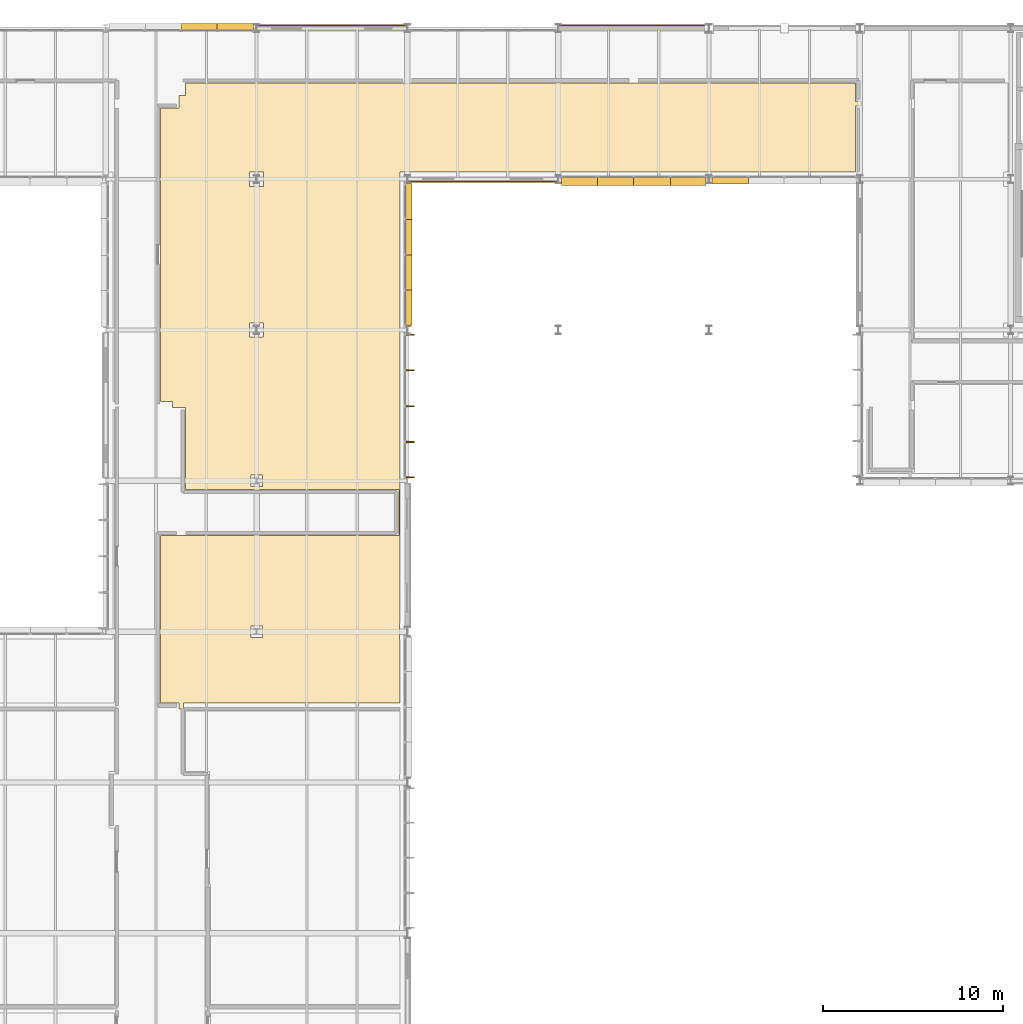
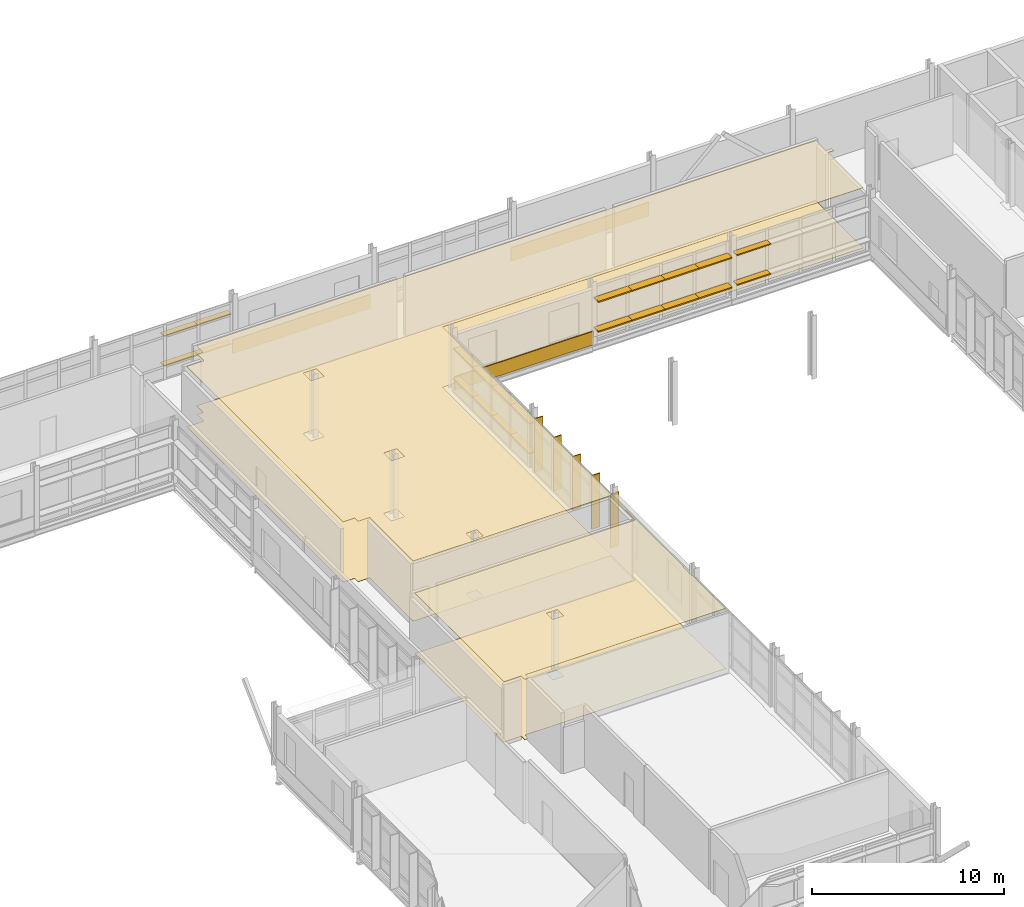
# One storey, part 98 of 103: 27 shading devices, 5 coverings.
"""IFC4 building model written with IfcOpenShell, lengths in metres."""

from ifc_helpers import new_model, si_unit, direction, frame, origin, origin_2d, place, context, subcontext, project, spatial, polyline, rectangle, outline, extrude, material, layer, layer_set, type_object, element, save


model = new_model("IFC4")

# Units and contexts
model_context = context("Model", 3, precision=1e-05, world=origin(), true_north=direction((0.0, 1.0)))
body_context = subcontext(model_context, "Body", "Model", "MODEL_VIEW")
ifc_project = project(units=[si_unit("LENGTHUNIT", "METRE"), si_unit("AREAUNIT", "SQUARE_METRE"), si_unit("VOLUMEUNIT", "CUBIC_METRE"), si_unit("PLANEANGLEUNIT", "RADIAN"), si_unit("MASSUNIT", "GRAM", prefix="KILO")], contexts=[model_context])

# Site, building, storey
site_placement = place(None, origin())
site = spatial("IfcSite", under=ifc_project, at=site_placement, CompositionType="ELEMENT")
building_placement = place(site_placement, origin())
building = spatial("IfcBuilding", under=site, at=building_placement, Name="Mersafa Astral City Hall", CompositionType="ELEMENT")
storey_placement = place(building_placement, frame((0.0, 0.0, 18.0)))
storey = spatial("IfcBuildingStorey", under=building, at=storey_placement, Name="L04", CompositionType="ELEMENT", Elevation=18.0)

# Coverings
ifc_material_1 = material(Name="Cairo Mokattam buff limestone cladding", Category="masonry")
ifc_layer_1 = layer(ifc_material_1, 0.06005859375, Name="Cairo Mokattam buff limestone cladding")
ifc_layer_set_1 = layer_set([ifc_layer_1], Name="Cairo Mokattam buff limestone cladding — ENV-COV-LIMESTONE-60")
covering_type_1 = type_object("IfcCoveringType", Name="ENV-COV-LIMESTONE-60", PredefinedType="CLADDING", material=ifc_layer_set_1)
for number, where, z_axis, x_axis, name in (
    (1, (130.199951171875, 126.177001953125, 0.0), (0.0, 0.0, 1.0), (-1.0, 0.0, 0.0), "L04 Cairo buff limestone rainscreen cladding 285"),
    (2, (113.39990234375, 126.16943359375, 0.0), (0.0, 0.0, 1.0), (-1.0, 0.0, 0.0), "L04 Cairo buff limestone rainscreen cladding 286"),
    (3, (121.800048828125, 117.46044921875, 0.0), (0.0, 0.0, 1.0), (1.0, 0.0, 0.0), "L04 Cairo buff limestone rainscreen cladding 313"),
):
    element("IfcCovering", number, at=place(storey_placement, frame(where, z_axis=z_axis, x_axis=x_axis)), inside=storey, type_object=covering_type_1, Name=name, PredefinedType="CLADDING", context=body_context, shape_type="SweptSolid", body=[
        extrude(rectangle(XDim=8.323974609375, YDim=0.06005859375, at=origin_2d()), origin(), (0.0, 0.0, 1.0), 0.860107421875),
    ])

# Shading devices
ifc_material_2 = material(Name="Anodised bronze aluminium solar fin", Category="aluminium")
shading_device_type_1 = type_object("IfcShadingDeviceType", Name="ENV-SHD-FIN-500A", PredefinedType="USERDEFINED", material=ifc_material_2)
for number, where, z_axis, x_axis, name in (
    (4, (117.7451171875, 100.991943359375, -0.01513671875), (0.0, 0.0, 1.0), (0.0, 1.0, 0.0), "L04 Vertical bronze solar fin 1376"),
    (5, (117.7451171875, 102.962158203125, -0.01513671875), (0.0, 0.0, 1.0), (0.0, 1.0, 0.0), "L04 Vertical bronze solar fin 1377"),
    (6, (117.7451171875, 104.96240234375, -0.01513671875), (0.0, 0.0, 1.0), (0.0, 1.0, 0.0), "L04 Vertical bronze solar fin 1378"),
    (7, (117.7451171875, 106.962646484375, -0.01513671875), (0.0, 0.0, 1.0), (0.0, 1.0, 0.0), "L04 Vertical bronze solar fin 1379"),
    (8, (117.7451171875, 108.93310546875, -0.01513671875), (0.0, 0.0, 1.0), (0.0, 1.0, 0.0), "L04 Vertical bronze solar fin 1380"),
):
    element("IfcShadingDevice", number, at=place(storey_placement, frame(where, z_axis=z_axis, x_axis=x_axis)), inside=storey, type_object=shading_device_type_1, Name=name, ObjectType="FIN", PredefinedType="USERDEFINED", context=body_context, shape_type="SweptSolid", body=[
        extrude(rectangle(XDim=0.06005859375, YDim=0.5, at=origin_2d()), origin(), (0.0, 0.0, 1.0), 3.422119140625),
    ])
ifc_material_3 = material(Name="Kiln-dried cedar timber brise-soleil blade", Category="wood")
shading_device_type_2 = type_object("IfcShadingDeviceType", Name="ENV-SHD-LOUVRE-380", PredefinedType="JALOUSIE", material=ifc_material_3)
shading_device_1_placement = place(storey_placement, frame((108.013427734375, 126.080078125, 0.81494140625), z_axis=(0.0, 0.0, 1.0), x_axis=(-1.0, 0.0, 0.0)))
element("IfcShadingDevice", 9, at=shading_device_1_placement, inside=storey, type_object=shading_device_type_2, Name="L04 Horizontal cedar brise-soleil louvre 1236", PredefinedType="JALOUSIE", context=body_context, shape_type="SweptSolid", body=[
    extrude(rectangle(XDim=2.029052734375, YDim=0.3798828125, at=origin_2d()), origin(), (0.0, 0.0, 1.0), 0.070068359375),
])
shading_device_2_placement = place(storey_placement, frame((106.009521484375, 126.080078125, 0.81494140625), z_axis=(0.0, 0.0, 1.0), x_axis=(-1.0, 0.0, 0.0)))
element("IfcShadingDevice", 10, at=shading_device_2_placement, inside=storey, type_object=shading_device_type_2, Name="L04 Horizontal cedar brise-soleil louvre 1237", PredefinedType="JALOUSIE", context=body_context, shape_type="SweptSolid", body=[
    extrude(rectangle(XDim=2.05908203125, YDim=0.3798828125, at=origin_2d()), origin(), (0.0, 0.0, 1.0), 0.070068359375),
])
shading_device_3_placement = place(storey_placement, frame((108.013427734375, 126.080078125, 2.71484375), z_axis=(0.0, 0.0, 1.0), x_axis=(-1.0, 0.0, 0.0)))
element("IfcShadingDevice", 11, at=shading_device_3_placement, inside=storey, type_object=shading_device_type_2, Name="L04 Horizontal cedar brise-soleil louvre 1240", PredefinedType="JALOUSIE", context=body_context, shape_type="SweptSolid", body=[
    extrude(rectangle(XDim=2.029052734375, YDim=0.3798828125, at=origin_2d()), origin(), (0.0, 0.0, 1.0), 0.070068359375),
])
shading_device_4_placement = place(storey_placement, frame((106.009521484375, 126.080078125, 2.71484375), z_axis=(0.0, 0.0, 1.0), x_axis=(-1.0, 0.0, 0.0)))
element("IfcShadingDevice", 12, at=shading_device_4_placement, inside=storey, type_object=shading_device_type_2, Name="L04 Horizontal cedar brise-soleil louvre 1241", PredefinedType="JALOUSIE", context=body_context, shape_type="SweptSolid", body=[
    extrude(rectangle(XDim=2.05908203125, YDim=0.3798828125, at=origin_2d()), origin(), (0.0, 0.0, 1.0), 0.070068359375),
])
shading_device_5_placement = place(storey_placement, frame((117.679931640625, 110.44287109375, 0.81494140625), z_axis=(0.0, 0.0, 1.0), x_axis=(0.0, 1.0, 0.0)))
element("IfcShadingDevice", 13, at=shading_device_5_placement, inside=storey, type_object=shading_device_type_2, Name="L04 Horizontal cedar brise-soleil louvre 1381", PredefinedType="JALOUSIE", context=body_context, shape_type="SweptSolid", body=[
    extrude(rectangle(XDim=1.991455078125, YDim=0.3798828125, at=origin_2d()), origin(), (0.0, 0.0, 1.0), 0.070068359375),
])
for number, where, z_axis, x_axis, name in (
    (14, (117.679931640625, 112.4091796875, 0.81494140625), (0.0, 0.0, 1.0), (0.0, 1.0, 0.0), "L04 Horizontal cedar brise-soleil louvre 1382"),
    (15, (117.679931640625, 114.390625, 0.81494140625), (0.0, 0.0, 1.0), (0.0, 1.0, 0.0), "L04 Horizontal cedar brise-soleil louvre 1383"),
):
    element("IfcShadingDevice", number, at=place(storey_placement, frame(where, z_axis=z_axis, x_axis=x_axis)), inside=storey, type_object=shading_device_type_2, Name=name, PredefinedType="JALOUSIE", context=body_context, shape_type="SweptSolid", body=[
        extrude(rectangle(XDim=2.021484375, YDim=0.3798828125, at=origin_2d()), origin(), (0.0, 0.0, 1.0), 0.070068359375),
    ])
for number, where, z_axis, x_axis, name in (
    (16, (117.679931640625, 116.357177734375, 0.81494140625), (0.0, 0.0, 1.0), (0.0, 1.0, 0.0), "L04 Horizontal cedar brise-soleil louvre 1384"),
    (17, (117.679931640625, 110.44287109375, 2.71484375), (0.0, 0.0, 1.0), (0.0, 1.0, 0.0), "L04 Horizontal cedar brise-soleil louvre 1385"),
):
    element("IfcShadingDevice", number, at=place(storey_placement, frame(where, z_axis=z_axis, x_axis=x_axis)), inside=storey, type_object=shading_device_type_2, Name=name, PredefinedType="JALOUSIE", context=body_context, shape_type="SweptSolid", body=[
        extrude(rectangle(XDim=1.991455078125, YDim=0.3798828125, at=origin_2d()), origin(), (0.0, 0.0, 1.0), 0.070068359375),
    ])
for number, where, z_axis, x_axis, name in (
    (18, (117.679931640625, 112.4091796875, 2.71484375), (0.0, 0.0, 1.0), (0.0, 1.0, 0.0), "L04 Horizontal cedar brise-soleil louvre 1386"),
    (19, (117.679931640625, 114.390625, 2.71484375), (0.0, 0.0, 1.0), (0.0, 1.0, 0.0), "L04 Horizontal cedar brise-soleil louvre 1387"),
):
    element("IfcShadingDevice", number, at=place(storey_placement, frame(where, z_axis=z_axis, x_axis=x_axis)), inside=storey, type_object=shading_device_type_2, Name=name, PredefinedType="JALOUSIE", context=body_context, shape_type="SweptSolid", body=[
        extrude(rectangle(XDim=2.021484375, YDim=0.3798828125, at=origin_2d()), origin(), (0.0, 0.0, 1.0), 0.070068359375),
    ])
shading_device_6_placement = place(storey_placement, frame((117.679931640625, 116.357177734375, 2.71484375), z_axis=(0.0, 0.0, 1.0), x_axis=(0.0, 1.0, 0.0)))
element("IfcShadingDevice", 20, at=shading_device_6_placement, inside=storey, type_object=shading_device_type_2, Name="L04 Horizontal cedar brise-soleil louvre 1388", PredefinedType="JALOUSIE", context=body_context, shape_type="SweptSolid", body=[
    extrude(rectangle(XDim=1.991455078125, YDim=0.3798828125, at=origin_2d()), origin(), (0.0, 0.0, 1.0), 0.070068359375),
])
for number, where, z_axis, x_axis, name in (
    (21, (135.58642578125, 117.52001953125, 0.81494140625), (0.0, 0.0, 1.0), (1.0, 0.0, 0.0), "L04 Horizontal cedar brise-soleil louvre 1397"),
    (22, (135.58642578125, 117.52001953125, 2.71484375), (0.0, 0.0, 1.0), (1.0, 0.0, 0.0), "L04 Horizontal cedar brise-soleil louvre 1401"),
):
    element("IfcShadingDevice", number, at=place(storey_placement, frame(where, z_axis=z_axis, x_axis=x_axis)), inside=storey, type_object=shading_device_type_2, Name=name, PredefinedType="JALOUSIE", context=body_context, shape_type="SweptSolid", body=[
        extrude(rectangle(XDim=2.029052734375, YDim=0.3798828125, at=origin_2d()), origin(), (0.0, 0.0, 1.0), 0.070068359375),
    ])
shading_device_type_3 = type_object("IfcShadingDeviceType", Name="ENV-SHD-LOUVRE-450", PredefinedType="JALOUSIE", material=ifc_material_3)
shading_device_7_placement = place(storey_placement, frame((127.1865234375, 117.485107421875, 0.81005859375), z_axis=(0.0, 0.0, 1.0), x_axis=(1.0, 0.0, 0.0)))
element("IfcShadingDevice", 23, at=shading_device_7_placement, inside=storey, type_object=shading_device_type_3, Name="L04 Horizontal cedar brise-soleil louvre 1389", PredefinedType="JALOUSIE", context=body_context, shape_type="SweptSolid", body=[
    extrude(rectangle(XDim=2.029052734375, YDim=0.449951171875, at=origin_2d()), origin(), (0.0, 0.0, 1.0), 0.080078125),
])
for number, where, z_axis, x_axis, name in (
    (24, (129.1904296875, 117.485107421875, 0.81005859375), (0.0, 0.0, 1.0), (1.0, 0.0, 0.0), "L04 Horizontal cedar brise-soleil louvre 1390"),
    (25, (131.20947265625, 117.485107421875, 0.81005859375), (0.0, 0.0, 1.0), (1.0, 0.0, 0.0), "L04 Horizontal cedar brise-soleil louvre 1391"),
):
    element("IfcShadingDevice", number, at=place(storey_placement, frame(where, z_axis=z_axis, x_axis=x_axis)), inside=storey, type_object=shading_device_type_3, Name=name, PredefinedType="JALOUSIE", context=body_context, shape_type="SweptSolid", body=[
        extrude(rectangle(XDim=2.05908203125, YDim=0.449951171875, at=origin_2d()), origin(), (0.0, 0.0, 1.0), 0.080078125),
    ])
for number, where, z_axis, x_axis, name in (
    (26, (133.21337890625, 117.485107421875, 0.81005859375), (0.0, 0.0, 1.0), (1.0, 0.0, 0.0), "L04 Horizontal cedar brise-soleil louvre 1392"),
    (27, (127.1865234375, 117.485107421875, 2.7099609375), (0.0, 0.0, 1.0), (1.0, 0.0, 0.0), "L04 Horizontal cedar brise-soleil louvre 1393"),
):
    element("IfcShadingDevice", number, at=place(storey_placement, frame(where, z_axis=z_axis, x_axis=x_axis)), inside=storey, type_object=shading_device_type_3, Name=name, PredefinedType="JALOUSIE", context=body_context, shape_type="SweptSolid", body=[
        extrude(rectangle(XDim=2.029052734375, YDim=0.449951171875, at=origin_2d()), origin(), (0.0, 0.0, 1.0), 0.080078125),
    ])
for number, where, z_axis, x_axis, name in (
    (28, (129.1904296875, 117.485107421875, 2.7099609375), (0.0, 0.0, 1.0), (1.0, 0.0, 0.0), "L04 Horizontal cedar brise-soleil louvre 1394"),
    (29, (131.20947265625, 117.485107421875, 2.7099609375), (0.0, 0.0, 1.0), (1.0, 0.0, 0.0), "L04 Horizontal cedar brise-soleil louvre 1395"),
):
    element("IfcShadingDevice", number, at=place(storey_placement, frame(where, z_axis=z_axis, x_axis=x_axis)), inside=storey, type_object=shading_device_type_3, Name=name, PredefinedType="JALOUSIE", context=body_context, shape_type="SweptSolid", body=[
        extrude(rectangle(XDim=2.05908203125, YDim=0.449951171875, at=origin_2d()), origin(), (0.0, 0.0, 1.0), 0.080078125),
    ])
shading_device_8_placement = place(storey_placement, frame((133.21337890625, 117.485107421875, 2.7099609375), z_axis=(0.0, 0.0, 1.0), x_axis=(1.0, 0.0, 0.0)))
element("IfcShadingDevice", 30, at=shading_device_8_placement, inside=storey, type_object=shading_device_type_3, Name="L04 Horizontal cedar brise-soleil louvre 1396", PredefinedType="JALOUSIE", context=body_context, shape_type="SweptSolid", body=[
    extrude(rectangle(XDim=2.029052734375, YDim=0.449951171875, at=origin_2d()), origin(), (0.0, 0.0, 1.0), 0.080078125),
])

# Coverings
ifc_material_4 = material(Name="Perforated acoustic gypsum board ceiling", Category="gypsum")
ifc_layer_2 = layer(ifc_material_4, 0.02490234375, Name="Perforated acoustic gypsum board ceiling")
ifc_layer_set_2 = layer_set([ifc_layer_2], Name="Perforated acoustic gypsum board ceiling — INT-COV-CEIL-25")
covering_type_2 = type_object("IfcCoveringType", Name="INT-COV-CEIL-25", PredefinedType="CEILING", material=ifc_layer_set_2)
covering_1_placement = place(storey_placement, frame((0.0, 0.0, 3.8310546875)))
element("IfcCovering", 31, at=covering_1_placement, inside=storey, type_object=covering_type_2, Name="L04 Environmental & Climate Planning Studio L04-02 acoustic ceiling", PredefinedType="CEILING", context=body_context, shape_type="SweptSolid", body=[
    extrude(outline(polyline([(105.22998046875, 100.320068359375), (105.22998046875, 104.8798828125), (104.530029296875, 104.8798828125), (104.530029296875, 105.22998046875), (103.840087890625, 105.22998046875), (103.840087890625, 121.570068359375), (104.8798828125, 121.570068359375), (104.8798828125, 122.27001953125), (105.22998046875, 122.27001953125), (105.22998046875, 122.9599609375), (142.570068359375, 122.9599609375), (142.570068359375, 121.919921875), (142.919921875, 121.919921875), (142.919921875, 121.679931640625), (142.570068359375, 121.679931640625), (142.570068359375, 118.0), (117.199951171875, 118.0), (117.199951171875, 92.844970703125), (117.155029296875, 92.844970703125), (117.155029296875, 91.955078125), (117.199951171875, 91.955078125), (117.199951171875, 88.429931640625), (105.1201171875, 88.429931640625), (105.1201171875, 88.080078125), (104.8798828125, 88.080078125), (104.8798828125, 88.429931640625), (103.840087890625, 88.429931640625), (103.840087890625, 97.760009765625), (117.1201171875, 97.760009765625), (117.1201171875, 100.320068359375), (105.22998046875, 100.320068359375)]), holes=[polyline([(109.594970703125, 108.804931640625), (109.594970703125, 109.594970703125), (108.804931640625, 109.594970703125), (108.804931640625, 108.804931640625), (109.594970703125, 108.804931640625)]), polyline([(109.594970703125, 117.205078125), (109.594970703125, 117.9951171875), (108.804931640625, 117.9951171875), (108.804931640625, 117.205078125), (109.594970703125, 117.205078125)]), polyline([(109.52001953125, 92.080078125), (109.52001953125, 92.719970703125), (108.8798828125, 92.719970703125), (108.8798828125, 92.080078125), (109.52001953125, 92.080078125)]), polyline([(109.52001953125, 101.1201171875), (108.8798828125, 101.1201171875), (108.8798828125, 100.47998046875), (109.52001953125, 100.47998046875), (109.52001953125, 101.1201171875)])]), origin(), (0.0, 0.0, 1.0), 0.02490234375),
])
ifc_material_5 = material(Name="Heavy-duty woven acoustic carpet tile", Category="finish")
ifc_layer_3 = layer(ifc_material_5, 0.014892578125, Name="Heavy-duty woven acoustic carpet tile")
ifc_layer_set_3 = layer_set([ifc_layer_3], Name="Heavy-duty woven acoustic carpet tile — INT-COV-FLR-15")
covering_type_3 = type_object("IfcCoveringType", Name="INT-COV-FLR-15", PredefinedType="FLOORING", material=ifc_layer_set_3)
covering_2_placement = place(storey_placement, frame((0.0, 0.0, -0.00146484375)))
element("IfcCovering", 32, at=covering_2_placement, inside=storey, type_object=covering_type_3, Name="L04 Environmental & Climate Planning Studio L04-02 architectural flooring", PredefinedType="FLOORING", context=body_context, shape_type="SweptSolid", body=[
    extrude(outline(polyline([(105.22998046875, 100.320068359375), (105.22998046875, 104.8798828125), (104.530029296875, 104.8798828125), (104.530029296875, 105.22998046875), (103.840087890625, 105.22998046875), (103.840087890625, 121.570068359375), (104.8798828125, 121.570068359375), (104.8798828125, 122.27001953125), (105.22998046875, 122.27001953125), (105.22998046875, 122.9599609375), (142.570068359375, 122.9599609375), (142.570068359375, 121.919921875), (142.919921875, 121.919921875), (142.919921875, 121.679931640625), (142.570068359375, 121.679931640625), (142.570068359375, 118.0), (117.199951171875, 118.0), (117.199951171875, 92.844970703125), (117.155029296875, 92.844970703125), (117.155029296875, 91.955078125), (117.199951171875, 91.955078125), (117.199951171875, 88.429931640625), (105.1201171875, 88.429931640625), (105.1201171875, 88.080078125), (104.8798828125, 88.080078125), (104.8798828125, 88.429931640625), (103.840087890625, 88.429931640625), (103.840087890625, 97.760009765625), (117.1201171875, 97.760009765625), (117.1201171875, 100.320068359375), (105.22998046875, 100.320068359375)]), holes=[polyline([(109.594970703125, 108.804931640625), (109.594970703125, 109.594970703125), (108.804931640625, 109.594970703125), (108.804931640625, 108.804931640625), (109.594970703125, 108.804931640625)]), polyline([(109.594970703125, 117.205078125), (109.594970703125, 117.9951171875), (108.804931640625, 117.9951171875), (108.804931640625, 117.205078125), (109.594970703125, 117.205078125)]), polyline([(109.52001953125, 92.080078125), (109.52001953125, 92.719970703125), (108.8798828125, 92.719970703125), (108.8798828125, 92.080078125), (109.52001953125, 92.080078125)]), polyline([(109.52001953125, 101.1201171875), (108.8798828125, 101.1201171875), (108.8798828125, 100.47998046875), (109.52001953125, 100.47998046875), (109.52001953125, 101.1201171875)])]), origin(), (0.0, 0.0, 1.0), 0.014892578125),
])

save(model, "model.ifc")
